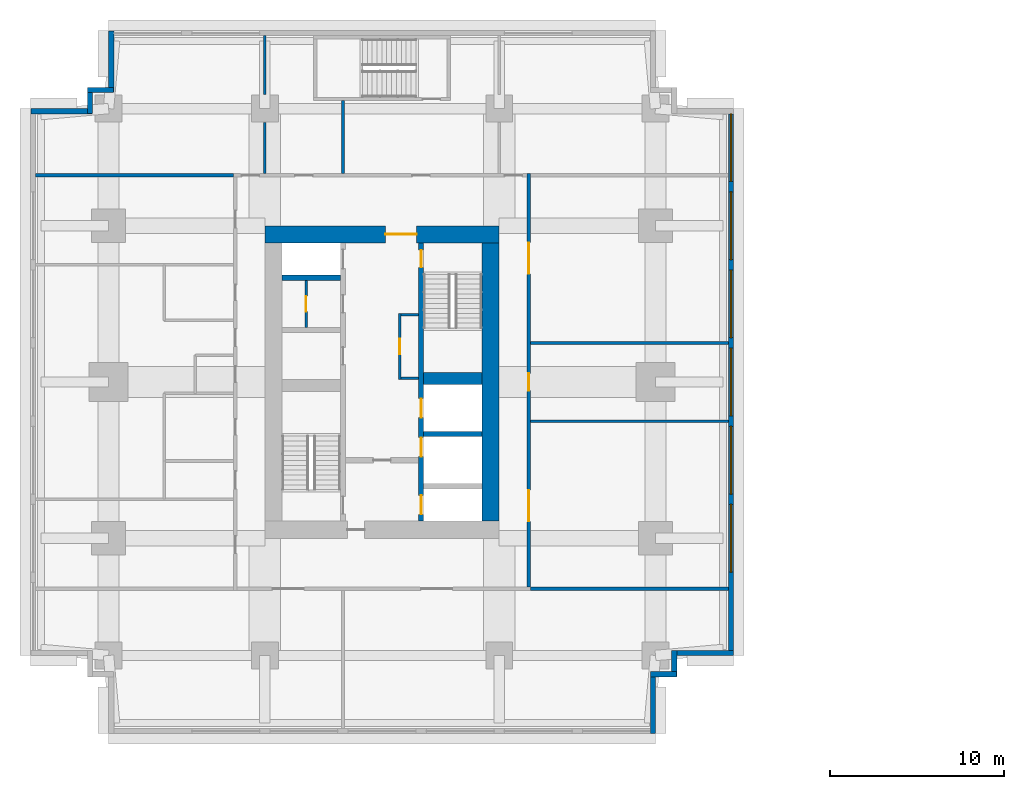
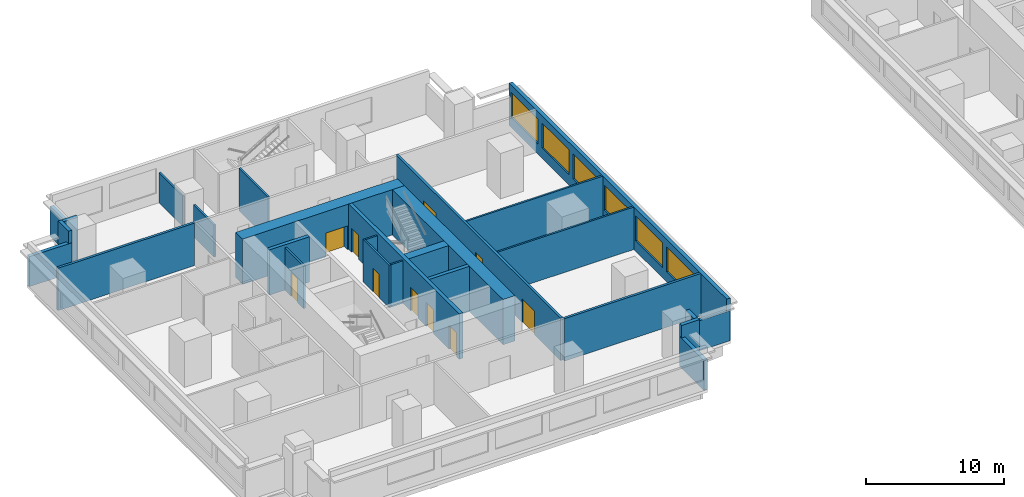
# One storey, part 4 of 11: 27 walls, 10 doors, 6 windows, 16 openings.
"""IFC4 building model written with IfcOpenShell, lengths in metres."""

from ifc_helpers import new_model, si_unit, direction, frame, frame_2d, origin, place, context, subcontext, project, spatial, rectangle, extrude, material, layer, layer_set, type_object, element, fill, save


model = new_model("IFC4")

# Units and contexts
model_context = context("Model", 3, precision=1e-05, world=origin(), true_north=direction((0.0, 1.0)))
body_context = subcontext(model_context, "Body", "Model", "MODEL_VIEW")
ifc_project = project(units=[si_unit("LENGTHUNIT", "METRE"), si_unit("AREAUNIT", "SQUARE_METRE"), si_unit("VOLUMEUNIT", "CUBIC_METRE"), si_unit("PLANEANGLEUNIT", "RADIAN"), si_unit("MASSUNIT", "GRAM", prefix="KILO")], contexts=[model_context])

# Site, building, storey
site_placement = place(None, origin())
site = spatial("IfcSite", under=ifc_project, at=site_placement, CompositionType="ELEMENT")
building_placement = place(site_placement, origin())
building = spatial("IfcBuilding", under=site, at=building_placement, Name="Namib Vertical Campus", CompositionType="ELEMENT")
storey_placement = place(building_placement, frame((0.0, 0.0, 225.0)))
storey = spatial("IfcBuildingStorey", under=building, at=storey_placement, Name="L53", CompositionType="ELEMENT", Elevation=225.0)

# Wall, openings, doors
ifc_material_1 = material(Name="Concrete C60/75", Category="concrete")
ifc_layer_1 = layer(ifc_material_1, 0.300048828125)
ifc_layer_set_1 = layer_set([ifc_layer_1], Name="Concrete C60/75")
wall_type_1 = type_object("IfcWallType", Name="Core inner wall 300", PredefinedType="SHEAR", material=ifc_layer_set_1)
wall_1_placement = place(storey_placement, frame((22.5, 12.25, 0.0), z_axis=(0.0, 0.0, 1.0), x_axis=(0.0, 1.0, 0.0)))
wall_1 = element("IfcWall", 1, at=wall_1_placement, inside=storey, type_object=wall_type_1, Name="Core inner wall A L53 W2", PredefinedType="SHEAR", context=body_context, shape_type="SweptSolid", body=[
    extrude(rectangle(XDim=16.0, YDim=0.300048828125, at=frame_2d((8.0, 0.0))), origin(), (0.0, 0.0, 1.0), 4.0),
])
opening_1_placement = place(wall_1_placement, frame((14.60009765625, 0.0, 0.0)))
opening_1 = element("IfcOpeningElement", 2, at=opening_1_placement, cuts=wall_1, Name="Opening FD1", PredefinedType="OPENING", context=body_context, shape_type="SweptSolid", body=[
    extrude(rectangle(XDim=1.0, YDim=2.10009765625, at=frame_2d((0.5, 1.050048828125))), frame((0.0, 0.159912109375, 0.0), z_axis=(0.0, -1.0, 0.0), x_axis=(1.0, 0.0, 0.0)), (0.0, 0.0, 1.0), 0.320068359375),
])
opening_2_placement = place(wall_1_placement, frame((0.375, 0.0, 0.0)))
opening_2 = element("IfcOpeningElement", 3, at=opening_2_placement, cuts=wall_1, Name="Opening LD1", PredefinedType="OPENING", context=body_context, shape_type="SweptSolid", body=[
    extrude(rectangle(XDim=1.10009765625, YDim=2.10009765625, at=frame_2d((0.550048828125, 1.050048828125))), frame((0.0, 0.159912109375, 0.0), z_axis=(0.0, -1.0, 0.0), x_axis=(1.0, 0.0, 0.0)), (0.0, 0.0, 1.0), 0.320068359375),
])
opening_3_placement = place(wall_1_placement, frame((3.699951171875, 0.0, 0.0)))
opening_3 = element("IfcOpeningElement", 4, at=opening_3_placement, cuts=wall_1, Name="Opening LD1", PredefinedType="OPENING", context=body_context, shape_type="SweptSolid", body=[
    extrude(rectangle(XDim=1.10009765625, YDim=2.10009765625, at=frame_2d((0.550048828125, 1.050048828125))), frame((0.0, 0.159912109375, 0.0), z_axis=(0.0, -1.0, 0.0), x_axis=(1.0, 0.0, 0.0)), (0.0, 0.0, 1.0), 0.320068359375),
])
opening_4_placement = place(wall_1_placement, frame((5.949951171875, 0.0, 0.0)))
opening_4 = element("IfcOpeningElement", 5, at=opening_4_placement, cuts=wall_1, Name="Opening LD1", PredefinedType="OPENING", context=body_context, shape_type="SweptSolid", body=[
    extrude(rectangle(XDim=1.10009765625, YDim=2.10009765625, at=frame_2d((0.550048828125, 1.050048828125))), frame((0.0, 0.159912109375, 0.0), z_axis=(0.0, -1.0, 0.0), x_axis=(1.0, 0.0, 0.0)), (0.0, 0.0, 1.0), 0.320068359375),
])
ifc_material_2 = material(Name="Steel fire door", Category="steel")
door_type_1 = type_object("IfcDoorType", Name="Fire door 1000x2100", OperationType="SINGLE_SWING_RIGHT", PredefinedType="DOOR", material=ifc_material_2)
door_1_placement = place(opening_1_placement, frame((1.0, 0.0, 0.0), z_axis=(0.0, 0.0, 1.0), x_axis=(-1.0, 0.0, 0.0)))
door_1 = element("IfcDoor", 6, at=door_1_placement, inside=storey, type_object=door_type_1, Name="Stair door FD1 A L53 S2", OperationType="SINGLE_SWING_LEFT", OverallHeight=2.10009765625, OverallWidth=1.0, PredefinedType="DOOR", context=body_context, shape_type="SweptSolid", body=[
    extrude(rectangle(XDim=1.0, YDim=2.10009765625, at=frame_2d((0.5, 1.050048828125))), frame((0.0, 0.02490234375, 0.0), z_axis=(0.0, -1.0, 0.0), x_axis=(1.0, 0.0, 0.0)), (0.0, 0.0, 1.0), 0.050048828125),
])
fill(opening_1, door_1)
ifc_material_3 = material(Name="Stainless steel lift door", Category="steel")
door_type_2 = type_object("IfcDoorType", Name="Lift landing door 1100x2100", OperationType="DOUBLE_DOOR_SLIDING", PredefinedType="DOOR", material=ifc_material_3)
door_2_placement = place(opening_2_placement, origin())
door_2 = element("IfcDoor", 7, at=door_2_placement, inside=storey, type_object=door_type_2, Name="Lift landing door LD1 A-FL1 L53", OperationType="DOUBLE_DOOR_SLIDING", OverallHeight=2.10009765625, OverallWidth=1.10009765625, PredefinedType="DOOR", context=body_context, shape_type="SweptSolid", body=[
    extrude(rectangle(XDim=1.10009765625, YDim=2.10009765625, at=frame_2d((0.550048828125, 1.050048828125))), frame((0.0, 0.02490234375, 0.0), z_axis=(0.0, -1.0, 0.0), x_axis=(1.0, 0.0, 0.0)), (0.0, 0.0, 1.0), 0.050048828125),
])
fill(opening_2, door_2)
door_3_placement = place(opening_3_placement, origin())
door_3 = element("IfcDoor", 8, at=door_3_placement, inside=storey, type_object=door_type_2, Name="Lift landing door LD1 A-P4 L53", OperationType="DOUBLE_DOOR_SLIDING", OverallHeight=2.10009765625, OverallWidth=1.10009765625, PredefinedType="DOOR", context=body_context, shape_type="SweptSolid", body=[
    extrude(rectangle(XDim=1.10009765625, YDim=2.10009765625, at=frame_2d((0.550048828125, 1.050048828125))), frame((0.0, 0.02490234375, 0.0), z_axis=(0.0, -1.0, 0.0), x_axis=(1.0, 0.0, 0.0)), (0.0, 0.0, 1.0), 0.050048828125),
])
fill(opening_3, door_3)
door_4_placement = place(opening_4_placement, origin())
door_4 = element("IfcDoor", 9, at=door_4_placement, inside=storey, type_object=door_type_2, Name="Lift landing door LD1 A-P5 L53", OperationType="DOUBLE_DOOR_SLIDING", OverallHeight=2.10009765625, OverallWidth=1.10009765625, PredefinedType="DOOR", context=body_context, shape_type="SweptSolid", body=[
    extrude(rectangle(XDim=1.10009765625, YDim=2.10009765625, at=frame_2d((0.550048828125, 1.050048828125))), frame((0.0, 0.02490234375, 0.0), z_axis=(0.0, -1.0, 0.0), x_axis=(1.0, 0.0, 0.0)), (0.0, 0.0, 1.0), 0.050048828125),
])
fill(opening_4, door_4)

# Walls
for number, where, z_axis, x_axis, name in (
    (10, (22.64990234375, 17.25, 0.0), (0.0, 0.0, 1.0), (1.0, 0.0, 0.0), "Core inner wall A L53 W6"),
    (11, (14.5, 26.25, 0.0), (0.0, 0.0, 1.0), (1.0, 0.0, 0.0), "Core inner wall A L53 W9"),
):
    element("IfcWall", number, at=place(storey_placement, frame(where, z_axis=z_axis, x_axis=x_axis)), inside=storey, type_object=wall_type_1, Name=name, PredefinedType="SHEAR", context=body_context, shape_type="SweptSolid", body=[
        extrude(rectangle(XDim=3.35009765625, YDim=0.300048828125, at=frame_2d((1.675048828125, 0.0))), origin(), (0.0, 0.0, 1.0), 4.0),
    ])
ifc_material_4 = material(Name="Concrete C60/75", Category="concrete")
ifc_layer_2 = layer(ifc_material_4, 0.699951171875)
ifc_layer_set_2 = layer_set([ifc_layer_2], Name="Concrete C60/75")
wall_type_2 = type_object("IfcWallType", Name="Core shear wall 700", PredefinedType="SHEAR", material=ifc_layer_set_2)
wall_2_placement = place(storey_placement, frame((22.64990234375, 20.449951171875, 0.0), z_axis=(0.0, 0.0, 1.0), x_axis=(1.0, 0.0, 0.0)))
element("IfcWall", 12, at=wall_2_placement, inside=storey, type_object=wall_type_2, Name="Core shear wall A L53 W7", PredefinedType="SHEAR", context=body_context, shape_type="SweptSolid", body=[
    extrude(rectangle(XDim=3.35009765625, YDim=0.699951171875, at=frame_2d((1.675048828125, 0.0))), origin(), (0.0, 0.0, 1.0), 4.0),
])
ifc_material_5 = material(Name="Concrete C60/75", Category="concrete")
ifc_layer_3 = layer(ifc_material_5, 1.0)
ifc_layer_set_3 = layer_set([ifc_layer_3], Name="Concrete C60/75")
wall_type_3 = type_object("IfcWallType", Name="Core wall 1000", PredefinedType="SHEAR", material=ifc_layer_set_3)
wall_3_placement = place(storey_placement, frame((26.5, 12.25, 0.0), z_axis=(0.0, 0.0, 1.0), x_axis=(0.0, 1.0, 0.0)))
element("IfcWall", 13, at=wall_3_placement, inside=storey, type_object=wall_type_3, Name="Core wall A L53 2", PredefinedType="SHEAR", context=body_context, shape_type="SweptSolid", body=[
    extrude(rectangle(XDim=16.0, YDim=1.0, at=frame_2d((8.0, 0.0))), origin(), (0.0, 0.0, 1.0), 4.0),
])

# Wall, opening, door
wall_4_placement = place(storey_placement, frame((27.0, 28.75, 0.0), z_axis=(0.0, 0.0, 1.0), x_axis=(-1.0, 0.0, 0.0)))
wall_4 = element("IfcWall", 14, at=wall_4_placement, inside=storey, type_object=wall_type_3, Name="Core wall A L53 3", PredefinedType="SHEAR", context=body_context, shape_type="SweptSolid", body=[
    extrude(rectangle(XDim=13.5, YDim=1.0, at=frame_2d((6.75, 0.0))), origin(), (0.0, 0.0, 1.0), 4.0),
])
opening_5_placement = place(wall_4_placement, frame((4.75, 0.0, 0.0)))
opening_5 = element("IfcOpeningElement", 15, at=opening_5_placement, cuts=wall_4, Name="Opening FD2", PredefinedType="OPENING", context=body_context, shape_type="SweptSolid", body=[
    extrude(rectangle(XDim=1.800048828125, YDim=2.10009765625, at=frame_2d((0.89990234375, 1.050048828125))), frame((0.0, 0.510009765625, 0.0), z_axis=(0.0, -1.0, 0.0), x_axis=(1.0, 0.0, 0.0)), (0.0, 0.0, 1.0), 1.02001953125),
])
ifc_material_6 = material(Name="Steel fire door", Category="steel")
door_type_3 = type_object("IfcDoorType", Name="Fire door double 1800x2100", OperationType="DOUBLE_DOOR_SINGLE_SWING", PredefinedType="DOOR", material=ifc_material_6)
door_5_placement = place(opening_5_placement, origin())
door_5 = element("IfcDoor", 16, at=door_5_placement, inside=storey, type_object=door_type_3, Name="Lift lobby door FD2 A L53", OperationType="DOUBLE_DOOR_SINGLE_SWING", OverallHeight=2.10009765625, OverallWidth=1.800048828125, PredefinedType="DOOR", context=body_context, shape_type="SweptSolid", body=[
    extrude(rectangle(XDim=1.800048828125, YDim=2.10009765625, at=frame_2d((0.89990234375, 1.050048828125))), frame((0.0, 0.02490234375, 0.0), z_axis=(0.0, -1.0, 0.0), x_axis=(1.0, 0.0, 0.0)), (0.0, 0.0, 1.0), 0.050048828125),
])
fill(opening_5, door_5)

# Wall, openings, doors
ifc_material_7 = material(Name="Concrete masonry", Category="masonry")
ifc_layer_4 = layer(ifc_material_7, 0.199951171875)
ifc_layer_set_4 = layer_set([ifc_layer_4], Name="Corridor wall 200")
wall_type_4 = type_object("IfcWallType", Name="Corridor wall 200", PredefinedType="SOLIDWALL", material=ifc_layer_set_4)
wall_5_placement = place(storey_placement, frame((28.699951171875, 8.449951171875, 0.0), z_axis=(0.0, 0.0, 1.0), x_axis=(0.0, 1.0, 0.0)))
wall_5 = element("IfcWall", 17, at=wall_5_placement, inside=storey, type_object=wall_type_4, Name="Corridor wall A L53 CE", PredefinedType="SOLIDWALL", context=body_context, shape_type="SweptSolid", body=[
    extrude(rectangle(XDim=23.800048828125, YDim=0.199951171875, at=frame_2d((11.89990234375, 0.0))), origin(), (0.0, 0.0, 1.0), 3.75),
])
opening_6_placement = place(wall_5_placement, frame((3.77490234375, 0.0, 0.0)))
opening_6 = element("IfcOpeningElement", 18, at=opening_6_placement, cuts=wall_5, Name="Opening CD2", PredefinedType="OPENING", context=body_context, shape_type="SweptSolid", body=[
    extrude(rectangle(XDim=1.800048828125, YDim=2.10009765625, at=frame_2d((0.89990234375, 1.050048828125))), frame((0.0, 0.10986328125, 0.0), z_axis=(0.0, -1.0, 0.0), x_axis=(1.0, 0.0, 0.0)), (0.0, 0.0, 1.0), 0.219970703125),
])
opening_7_placement = place(wall_5_placement, frame((11.300048828125, 0.0, 0.0)))
opening_7 = element("IfcOpeningElement", 19, at=opening_7_placement, cuts=wall_5, Name="Opening CD1", PredefinedType="OPENING", context=body_context, shape_type="SweptSolid", body=[
    extrude(rectangle(XDim=1.0, YDim=2.10009765625, at=frame_2d((0.5, 1.050048828125))), frame((0.0, 0.10986328125, 0.0), z_axis=(0.0, -1.0, 0.0), x_axis=(1.0, 0.0, 0.0)), (0.0, 0.0, 1.0), 0.219970703125),
])
opening_8_placement = place(wall_5_placement, frame((18.02490234375, 0.0, 0.0)))
opening_8 = element("IfcOpeningElement", 20, at=opening_8_placement, cuts=wall_5, Name="Opening CD2", PredefinedType="OPENING", context=body_context, shape_type="SweptSolid", body=[
    extrude(rectangle(XDim=1.800048828125, YDim=2.10009765625, at=frame_2d((0.89990234375, 1.050048828125))), frame((0.0, 0.10986328125, 0.0), z_axis=(0.0, -1.0, 0.0), x_axis=(1.0, 0.0, 0.0)), (0.0, 0.0, 1.0), 0.219970703125),
])
ifc_material_8 = material(Name="Timber fire door leaf", Category="wood")
door_type_4 = type_object("IfcDoorType", Name="Corridor door 1000x2100 20 min", OperationType="SINGLE_SWING_LEFT", PredefinedType="DOOR", material=ifc_material_8)
door_6_placement = place(opening_7_placement, frame((1.0, 0.0, 0.0), z_axis=(0.0, 0.0, 1.0), x_axis=(-1.0, 0.0, 0.0)))
door_6 = element("IfcDoor", 21, at=door_6_placement, inside=storey, type_object=door_type_4, Name="Door CD1 A53-04", OperationType="SINGLE_SWING_RIGHT", OverallHeight=2.10009765625, OverallWidth=1.0, PredefinedType="DOOR", context=body_context, shape_type="SweptSolid", body=[
    extrude(rectangle(XDim=1.0, YDim=2.10009765625, at=frame_2d((0.5, 1.050048828125))), frame((0.0, 0.02490234375, 0.0), z_axis=(0.0, -1.0, 0.0), x_axis=(1.0, 0.0, 0.0)), (0.0, 0.0, 1.0), 0.050048828125),
])
fill(opening_7, door_6)
ifc_material_9 = material(Name="Timber fire door leaf", Category="wood")
door_type_5 = type_object("IfcDoorType", Name="Corridor door double 1800x2100 20 min", OperationType="DOUBLE_DOOR_SINGLE_SWING", PredefinedType="DOOR", material=ifc_material_9)
door_7_placement = place(opening_6_placement, frame((1.800048828125, 0.0, 0.0), z_axis=(0.0, 0.0, 1.0), x_axis=(-1.0, 0.0, 0.0)))
door_7 = element("IfcDoor", 22, at=door_7_placement, inside=storey, type_object=door_type_5, Name="Door CD2 A53-03", OperationType="DOUBLE_DOOR_SINGLE_SWING", OverallHeight=2.10009765625, OverallWidth=1.800048828125, PredefinedType="DOOR", context=body_context, shape_type="SweptSolid", body=[
    extrude(rectangle(XDim=1.800048828125, YDim=2.10009765625, at=frame_2d((0.89990234375, 1.050048828125))), frame((0.0, 0.02490234375, 0.0), z_axis=(0.0, -1.0, 0.0), x_axis=(1.0, 0.0, 0.0)), (0.0, 0.0, 1.0), 0.050048828125),
])
fill(opening_6, door_7)
door_8_placement = place(opening_8_placement, frame((1.800048828125, 0.0, 0.0), z_axis=(0.0, 0.0, 1.0), x_axis=(-1.0, 0.0, 0.0)))
door_8 = element("IfcDoor", 23, at=door_8_placement, inside=storey, type_object=door_type_5, Name="Door CD2 A53-05", OperationType="DOUBLE_DOOR_SINGLE_SWING", OverallHeight=2.10009765625, OverallWidth=1.800048828125, PredefinedType="DOOR", context=body_context, shape_type="SweptSolid", body=[
    extrude(rectangle(XDim=1.800048828125, YDim=2.10009765625, at=frame_2d((0.89990234375, 1.050048828125))), frame((0.0, 0.02490234375, 0.0), z_axis=(0.0, -1.0, 0.0), x_axis=(1.0, 0.0, 0.0)), (0.0, 0.0, 1.0), 0.050048828125),
])
fill(opening_8, door_8)

# Walls
for number, where, z_axis, x_axis, name in (
    (24, (28.800048828125, 8.35009765625, 0.0), (0.0, 0.0, 1.0), (1.0, 0.0, 0.0), "Partition A L53 BSE"),
    (25, (0.300048828125, 32.14990234375, 0.0), (0.0, 0.0, 1.0), (1.0, 0.0, 0.0), "Partition A L53 BNW"),
):
    element("IfcWall", number, at=place(storey_placement, frame(where, z_axis=z_axis, x_axis=x_axis)), inside=storey, type_object=wall_type_4, Name=name, PredefinedType="SOLIDWALL", context=body_context, shape_type="SweptSolid", body=[
        extrude(rectangle(XDim=11.39990234375, YDim=0.199951171875, at=frame_2d((5.699951171875, 0.0))), origin(), (0.0, 0.0, 1.0), 3.75),
    ])
ifc_material_10 = material(Name="Concrete C40/50", Category="concrete")
ifc_layer_5 = layer(ifc_material_10, 0.300048828125)
ifc_layer_set_5 = layer_set([ifc_layer_5], Name="Concrete C40/50")
wall_type_5 = type_object("IfcWallType", Name="External wall 300 board-marked concrete", PredefinedType="STANDARD", material=ifc_layer_set_5)
wall_6_placement = place(storey_placement, frame((35.85009765625, 0.02001953125, 0.0), z_axis=(0.0, 0.0, 1.0), x_axis=(0.0, 1.0, 0.0)))
element("IfcWall", 26, at=wall_6_placement, inside=storey, type_object=wall_type_5, Name="External wall L53 F02", PredefinedType="STANDARD", context=body_context, shape_type="SweptSolid", body=[
    extrude(rectangle(XDim=3.534912109375, YDim=0.300048828125, at=frame_2d((1.767578125, 0.0))), origin(), (0.0, 0.0, 1.0), 2.64990234375),
])
for number, where, z_axis, x_axis, name in (
    (27, (35.719970703125, 3.425048828125, 0.0), (0.0, 0.0, 1.0), (1.0, 0.0, 0.0), "External wall L53 F03"),
    (28, (37.074951171875, 3.294921875, 0.0), (0.0, 0.0, 1.0), (0.0, 1.0, 0.0), "External wall L53 F04"),
):
    element("IfcWall", number, at=place(storey_placement, frame(where, z_axis=z_axis, x_axis=x_axis)), inside=storey, type_object=wall_type_5, Name=name, PredefinedType="STANDARD", context=body_context, shape_type="SweptSolid", body=[
        extrude(rectangle(XDim=1.485107421875, YDim=0.300048828125, at=frame_2d((0.74267578125, 0.0))), origin(), (0.0, 0.0, 1.0), 3.75),
    ])
wall_7_placement = place(storey_placement, frame((36.945068359375, 4.64990234375, 0.0), z_axis=(0.0, 0.0, 1.0), x_axis=(1.0, 0.0, 0.0)))
element("IfcWall", 29, at=wall_7_placement, inside=storey, type_object=wall_type_5, Name="External wall L53 F05", PredefinedType="STANDARD", context=body_context, shape_type="SweptSolid", body=[
    extrude(rectangle(XDim=3.534912109375, YDim=0.300048828125, at=frame_2d((1.767578125, 0.0))), origin(), (0.0, 0.0, 1.0), 2.64990234375),
])

# Wall, openings, windows
wall_8_placement = place(storey_placement, frame((40.35009765625, 4.52001953125, 0.0), z_axis=(0.0, 0.0, 1.0), x_axis=(0.0, 1.0, 0.0)))
wall_8 = element("IfcWall", 30, at=wall_8_placement, inside=storey, type_object=wall_type_5, Name="External wall L53 F06", PredefinedType="STANDARD", context=body_context, shape_type="SweptSolid", body=[
    extrude(rectangle(XDim=31.4599609375, YDim=0.300048828125, at=frame_2d((15.72998046875, 0.0))), origin(), (0.0, 0.0, 1.0), 3.75),
])
opening_9_placement = place(wall_8_placement, frame((4.780029296875, 0.0, 0.89990234375)))
opening_9 = element("IfcOpeningElement", 31, at=opening_9_placement, cuts=wall_8, Name="Opening W1", PredefinedType="OPENING", context=body_context, shape_type="SweptSolid", body=[
    extrude(rectangle(XDim=3.89990234375, YDim=2.199951171875, at=frame_2d((1.949951171875, 1.10009765625))), frame((0.0, 0.159912109375, 0.0), z_axis=(0.0, -1.0, 0.0), x_axis=(1.0, 0.0, 0.0)), (0.0, 0.0, 1.0), 0.320068359375),
])
opening_10_placement = place(wall_8_placement, frame((9.280029296875, 0.0, 0.89990234375)))
opening_10 = element("IfcOpeningElement", 32, at=opening_10_placement, cuts=wall_8, Name="Opening W1", PredefinedType="OPENING", context=body_context, shape_type="SweptSolid", body=[
    extrude(rectangle(XDim=3.89990234375, YDim=2.199951171875, at=frame_2d((1.949951171875, 1.10009765625))), frame((0.0, 0.159912109375, 0.0), z_axis=(0.0, -1.0, 0.0), x_axis=(1.0, 0.0, 0.0)), (0.0, 0.0, 1.0), 0.320068359375),
])
opening_11_placement = place(wall_8_placement, frame((13.780029296875, 0.0, 0.89990234375)))
opening_11 = element("IfcOpeningElement", 33, at=opening_11_placement, cuts=wall_8, Name="Opening W1", PredefinedType="OPENING", context=body_context, shape_type="SweptSolid", body=[
    extrude(rectangle(XDim=3.89990234375, YDim=2.199951171875, at=frame_2d((1.949951171875, 1.10009765625))), frame((0.0, 0.159912109375, 0.0), z_axis=(0.0, -1.0, 0.0), x_axis=(1.0, 0.0, 0.0)), (0.0, 0.0, 1.0), 0.320068359375),
])
opening_12_placement = place(wall_8_placement, frame((18.280029296875, 0.0, 0.89990234375)))
opening_12 = element("IfcOpeningElement", 34, at=opening_12_placement, cuts=wall_8, Name="Opening W1", PredefinedType="OPENING", context=body_context, shape_type="SweptSolid", body=[
    extrude(rectangle(XDim=3.89990234375, YDim=2.199951171875, at=frame_2d((1.949951171875, 1.10009765625))), frame((0.0, 0.159912109375, 0.0), z_axis=(0.0, -1.0, 0.0), x_axis=(1.0, 0.0, 0.0)), (0.0, 0.0, 1.0), 0.320068359375),
])
opening_13_placement = place(wall_8_placement, frame((22.780029296875, 0.0, 0.89990234375)))
opening_13 = element("IfcOpeningElement", 35, at=opening_13_placement, cuts=wall_8, Name="Opening W1", PredefinedType="OPENING", context=body_context, shape_type="SweptSolid", body=[
    extrude(rectangle(XDim=3.89990234375, YDim=2.199951171875, at=frame_2d((1.949951171875, 1.10009765625))), frame((0.0, 0.159912109375, 0.0), z_axis=(0.0, -1.0, 0.0), x_axis=(1.0, 0.0, 0.0)), (0.0, 0.0, 1.0), 0.320068359375),
])
opening_14_placement = place(wall_8_placement, frame((27.280029296875, 0.0, 0.89990234375)))
opening_14 = element("IfcOpeningElement", 36, at=opening_14_placement, cuts=wall_8, Name="Opening W1", PredefinedType="OPENING", context=body_context, shape_type="SweptSolid", body=[
    extrude(rectangle(XDim=3.89990234375, YDim=2.199951171875, at=frame_2d((1.949951171875, 1.10009765625))), frame((0.0, 0.159912109375, 0.0), z_axis=(0.0, -1.0, 0.0), x_axis=(1.0, 0.0, 0.0)), (0.0, 0.0, 1.0), 0.320068359375),
])
ifc_material_11 = material(Name="Dark tinted glass in black aluminium frame", Category="aluminium")
window_type = type_object("IfcWindowType", Name="Ribbon window 3900x2200", PartitioningType="SINGLE_PANEL", PredefinedType="WINDOW", material=ifc_material_11)
window_1_placement = place(opening_9_placement, origin())
window_1 = element("IfcWindow", 37, at=window_1_placement, inside=storey, type_object=window_type, Name="Window W1 L53 F06-2", OverallHeight=2.199951171875, OverallWidth=3.89990234375, PartitioningType="SINGLE_PANEL", PredefinedType="WINDOW", context=body_context, shape_type="SweptSolid", body=[
    extrude(rectangle(XDim=3.89990234375, YDim=2.199951171875, at=frame_2d((1.949951171875, 1.10009765625))), frame((0.0, 0.030029296875, 0.0), z_axis=(0.0, -1.0, 0.0), x_axis=(1.0, 0.0, 0.0)), (0.0, 0.0, 1.0), 0.06005859375),
])
fill(opening_9, window_1)
window_2_placement = place(opening_10_placement, origin())
window_2 = element("IfcWindow", 38, at=window_2_placement, inside=storey, type_object=window_type, Name="Window W1 L53 F06-3", OverallHeight=2.199951171875, OverallWidth=3.89990234375, PartitioningType="SINGLE_PANEL", PredefinedType="WINDOW", context=body_context, shape_type="SweptSolid", body=[
    extrude(rectangle(XDim=3.89990234375, YDim=2.199951171875, at=frame_2d((1.949951171875, 1.10009765625))), frame((0.0, 0.030029296875, 0.0), z_axis=(0.0, -1.0, 0.0), x_axis=(1.0, 0.0, 0.0)), (0.0, 0.0, 1.0), 0.06005859375),
])
fill(opening_10, window_2)
window_3_placement = place(opening_11_placement, origin())
window_3 = element("IfcWindow", 39, at=window_3_placement, inside=storey, type_object=window_type, Name="Window W1 L53 F06-4", OverallHeight=2.199951171875, OverallWidth=3.89990234375, PartitioningType="SINGLE_PANEL", PredefinedType="WINDOW", context=body_context, shape_type="SweptSolid", body=[
    extrude(rectangle(XDim=3.89990234375, YDim=2.199951171875, at=frame_2d((1.949951171875, 1.10009765625))), frame((0.0, 0.030029296875, 0.0), z_axis=(0.0, -1.0, 0.0), x_axis=(1.0, 0.0, 0.0)), (0.0, 0.0, 1.0), 0.06005859375),
])
fill(opening_11, window_3)
window_4_placement = place(opening_12_placement, origin())
window_4 = element("IfcWindow", 40, at=window_4_placement, inside=storey, type_object=window_type, Name="Window W1 L53 F06-5", OverallHeight=2.199951171875, OverallWidth=3.89990234375, PartitioningType="SINGLE_PANEL", PredefinedType="WINDOW", context=body_context, shape_type="SweptSolid", body=[
    extrude(rectangle(XDim=3.89990234375, YDim=2.199951171875, at=frame_2d((1.949951171875, 1.10009765625))), frame((0.0, 0.030029296875, 0.0), z_axis=(0.0, -1.0, 0.0), x_axis=(1.0, 0.0, 0.0)), (0.0, 0.0, 1.0), 0.06005859375),
])
fill(opening_12, window_4)
window_5_placement = place(opening_13_placement, origin())
window_5 = element("IfcWindow", 41, at=window_5_placement, inside=storey, type_object=window_type, Name="Window W1 L53 F06-6", OverallHeight=2.199951171875, OverallWidth=3.89990234375, PartitioningType="SINGLE_PANEL", PredefinedType="WINDOW", context=body_context, shape_type="SweptSolid", body=[
    extrude(rectangle(XDim=3.89990234375, YDim=2.199951171875, at=frame_2d((1.949951171875, 1.10009765625))), frame((0.0, 0.030029296875, 0.0), z_axis=(0.0, -1.0, 0.0), x_axis=(1.0, 0.0, 0.0)), (0.0, 0.0, 1.0), 0.06005859375),
])
fill(opening_13, window_5)
window_6_placement = place(opening_14_placement, origin())
window_6 = element("IfcWindow", 42, at=window_6_placement, inside=storey, type_object=window_type, Name="Window W1 L53 F06-7", OverallHeight=2.199951171875, OverallWidth=3.89990234375, PartitioningType="SINGLE_PANEL", PredefinedType="WINDOW", context=body_context, shape_type="SweptSolid", body=[
    extrude(rectangle(XDim=3.89990234375, YDim=2.199951171875, at=frame_2d((1.949951171875, 1.10009765625))), frame((0.0, 0.030029296875, 0.0), z_axis=(0.0, -1.0, 0.0), x_axis=(1.0, 0.0, 0.0)), (0.0, 0.0, 1.0), 0.06005859375),
])
fill(opening_14, window_6)

# Walls
wall_9_placement = place(storey_placement, frame((4.64990234375, 40.47998046875, 0.0), z_axis=(0.0, 0.0, 1.0), x_axis=(0.0, -1.0, 0.0)))
element("IfcWall", 43, at=wall_9_placement, inside=storey, type_object=wall_type_5, Name="External wall L53 F12", PredefinedType="STANDARD", context=body_context, shape_type="SweptSolid", body=[
    extrude(rectangle(XDim=3.534912109375, YDim=0.300048828125, at=frame_2d((1.767578125, 0.0))), origin(), (0.0, 0.0, 1.0), 2.64990234375),
])
for number, where, z_axis, x_axis, name in (
    (44, (4.780029296875, 37.074951171875, 0.0), (0.0, 0.0, 1.0), (-1.0, 0.0, 0.0), "External wall L53 F13"),
    (45, (3.425048828125, 37.205078125, 0.0), (0.0, 0.0, 1.0), (0.0, -1.0, 0.0), "External wall L53 F14"),
):
    element("IfcWall", number, at=place(storey_placement, frame(where, z_axis=z_axis, x_axis=x_axis)), inside=storey, type_object=wall_type_5, Name=name, PredefinedType="STANDARD", context=body_context, shape_type="SweptSolid", body=[
        extrude(rectangle(XDim=1.485107421875, YDim=0.300048828125, at=frame_2d((0.74267578125, 0.0))), origin(), (0.0, 0.0, 1.0), 3.75),
    ])
wall_10_placement = place(storey_placement, frame((3.554931640625, 35.85009765625, 0.0), z_axis=(0.0, 0.0, 1.0), x_axis=(-1.0, 0.0, 0.0)))
element("IfcWall", 46, at=wall_10_placement, inside=storey, type_object=wall_type_5, Name="External wall L53 F15", PredefinedType="STANDARD", context=body_context, shape_type="SweptSolid", body=[
    extrude(rectangle(XDim=3.534912109375, YDim=0.300048828125, at=frame_2d((1.767578125, 0.0))), origin(), (0.0, 0.0, 1.0), 2.64990234375),
])

# Wall, opening, door
ifc_material_12 = material(Name="Gypsum board on steel studs", Category="steel")
ifc_layer_6 = layer(ifc_material_12, 0.14990234375)
ifc_layer_set_6 = layer_set([ifc_layer_6], Name="Gypsum board on steel studs")
wall_type_6 = type_object("IfcWallType", Name="Partition 150", PredefinedType="PARTITIONING", material=ifc_layer_set_6)
wall_11_placement = place(storey_placement, frame((21.27490234375, 20.39990234375, 0.0), z_axis=(0.0, 0.0, 1.0), x_axis=(0.0, 1.0, 0.0)))
wall_11 = element("IfcWall", 47, at=wall_11_placement, inside=storey, type_object=wall_type_6, Name="Partition A L53 Linen store front", PredefinedType="PARTITIONING", context=body_context, shape_type="SweptSolid", body=[
    extrude(rectangle(XDim=3.800048828125, YDim=0.14990234375, at=frame_2d((1.89990234375, 0.0))), origin(), (0.0, 0.0, 1.0), 3.75),
])
opening_15_placement = place(wall_11_placement, frame((1.449951171875, 0.0, 0.0)))
opening_15 = element("IfcOpeningElement", 48, at=opening_15_placement, cuts=wall_11, Name="Opening D3", PredefinedType="OPENING", context=body_context, shape_type="SweptSolid", body=[
    extrude(rectangle(XDim=0.89990234375, YDim=2.10009765625, at=frame_2d((0.449951171875, 1.050048828125))), frame((0.0, 0.0849609375, 0.0), z_axis=(0.0, -1.0, 0.0), x_axis=(1.0, 0.0, 0.0)), (0.0, 0.0, 1.0), 0.169921875),
])
ifc_material_13 = material(Name="Timber door leaf", Category="wood")
door_type_6 = type_object("IfcDoorType", Name="Toilet door 900x2100", OperationType="SINGLE_SWING_LEFT", PredefinedType="DOOR", material=ifc_material_13)
door_9_placement = place(opening_15_placement, frame((0.89990234375, 0.0, 0.0), z_axis=(0.0, 0.0, 1.0), x_axis=(-1.0, 0.0, 0.0)))
door_9 = element("IfcDoor", 49, at=door_9_placement, inside=storey, type_object=door_type_6, Name="Door D3 Linen store A L53", OperationType="SINGLE_SWING_RIGHT", OverallHeight=2.10009765625, OverallWidth=0.89990234375, PredefinedType="DOOR", context=body_context, shape_type="SweptSolid", body=[
    extrude(rectangle(XDim=0.89990234375, YDim=2.10009765625, at=frame_2d((0.449951171875, 1.050048828125))), frame((0.0, 0.02490234375, 0.0), z_axis=(0.0, -1.0, 0.0), x_axis=(1.0, 0.0, 0.0)), (0.0, 0.0, 1.0), 0.050048828125),
])
fill(opening_15, door_9)

# Walls
for number, where, z_axis, x_axis, name in (
    (50, (21.35009765625, 20.47509765625, 0.0), (0.0, 0.0, 1.0), (1.0, 0.0, 0.0), "Partition A L53 Linen store end 1"),
    (51, (21.35009765625, 24.125, 0.0), (0.0, 0.0, 1.0), (1.0, 0.0, 0.0), "Partition A L53 Linen store end 2"),
):
    element("IfcWall", number, at=place(storey_placement, frame(where, z_axis=z_axis, x_axis=x_axis)), inside=storey, type_object=wall_type_6, Name=name, PredefinedType="PARTITIONING", context=body_context, shape_type="SweptSolid", body=[
        extrude(rectangle(XDim=1.0, YDim=0.14990234375, at=frame_2d((0.5, 0.0))), origin(), (0.0, 0.0, 1.0), 3.75),
    ])

# Wall, opening, door
wall_12_placement = place(storey_placement, frame((15.875, 23.39990234375, 0.0), z_axis=(0.0, 0.0, 1.0), x_axis=(0.0, 1.0, 0.0)))
wall_12 = element("IfcWall", 52, at=wall_12_placement, inside=storey, type_object=wall_type_6, Name="Partition A L53 Store P2 back", PredefinedType="PARTITIONING", context=body_context, shape_type="SweptSolid", body=[
    extrude(rectangle(XDim=2.7001953125, YDim=0.14990234375, at=frame_2d((1.35009765625, 0.0))), origin(), (0.0, 0.0, 1.0), 3.75),
])
opening_16_placement = place(wall_12_placement, frame((0.89990234375, 0.0, 0.0)))
opening_16 = element("IfcOpeningElement", 53, at=opening_16_placement, cuts=wall_12, Name="Opening D3", PredefinedType="OPENING", context=body_context, shape_type="SweptSolid", body=[
    extrude(rectangle(XDim=0.89990234375, YDim=2.10009765625, at=frame_2d((0.449951171875, 1.050048828125))), frame((0.0, 0.0849609375, 0.0), z_axis=(0.0, -1.0, 0.0), x_axis=(1.0, 0.0, 0.0)), (0.0, 0.0, 1.0), 0.169921875),
])
door_10_placement = place(opening_16_placement, origin())
door_10 = element("IfcDoor", 54, at=door_10_placement, inside=storey, type_object=door_type_6, Name="Door D3 Store A L53 P2", OperationType="SINGLE_SWING_LEFT", OverallHeight=2.10009765625, OverallWidth=0.89990234375, PredefinedType="DOOR", context=body_context, shape_type="SweptSolid", body=[
    extrude(rectangle(XDim=0.89990234375, YDim=2.10009765625, at=frame_2d((0.449951171875, 1.050048828125))), frame((0.0, 0.02490234375, 0.0), z_axis=(0.0, -1.0, 0.0), x_axis=(1.0, 0.0, 0.0)), (0.0, 0.0, 1.0), 0.050048828125),
])
fill(opening_16, door_10)

# Walls
wall_13_placement = place(storey_placement, frame((13.5, 32.25, 0.0), z_axis=(0.0, 0.0, 1.0), x_axis=(0.0, 1.0, 0.0)))
element("IfcWall", 55, at=wall_13_placement, inside=storey, type_object=wall_type_6, Name="Partition A L53 PN1", PredefinedType="PARTITIONING", context=body_context, shape_type="SweptSolid", body=[
    extrude(rectangle(XDim=2.955078125, YDim=0.14990234375, at=frame_2d((1.4775390625, 0.0))), origin(), (0.0, 0.0, 1.0), 2.85009765625),
])
wall_14_placement = place(storey_placement, frame((13.5, 36.794921875, 0.0), z_axis=(0.0, 0.0, 1.0), x_axis=(0.0, 1.0, 0.0)))
element("IfcWall", 56, at=wall_14_placement, inside=storey, type_object=wall_type_6, Name="Partition A L53 PN1", PredefinedType="PARTITIONING", context=body_context, shape_type="SweptSolid", body=[
    extrude(rectangle(XDim=3.405029296875, YDim=0.14990234375, at=frame_2d((1.70263671875, 0.0))), origin(), (0.0, 0.0, 1.0), 2.64990234375),
])
wall_15_placement = place(storey_placement, frame((18.0, 32.25, 0.0), z_axis=(0.0, 0.0, 1.0), x_axis=(0.0, 1.0, 0.0)))
element("IfcWall", 57, at=wall_15_placement, inside=storey, type_object=wall_type_6, Name="Partition A L53 PN2", PredefinedType="PARTITIONING", context=body_context, shape_type="SweptSolid", body=[
    extrude(rectangle(XDim=4.199951171875, YDim=0.14990234375, at=frame_2d((2.10009765625, 0.0))), origin(), (0.0, 0.0, 1.0), 3.75),
])
for number, where, z_axis, x_axis, name in (
    (58, (28.800048828125, 18.0, 0.0), (0.0, 0.0, 1.0), (1.0, 0.0, 0.0), "Partition A L53 PE1"),
    (59, (28.800048828125, 22.5, 0.0), (0.0, 0.0, 1.0), (1.0, 0.0, 0.0), "Partition A L53 PE2"),
):
    element("IfcWall", number, at=place(storey_placement, frame(where, z_axis=z_axis, x_axis=x_axis)), inside=storey, type_object=wall_type_6, Name=name, PredefinedType="PARTITIONING", context=body_context, shape_type="SweptSolid", body=[
        extrude(rectangle(XDim=11.39990234375, YDim=0.14990234375, at=frame_2d((5.699951171875, 0.0))), origin(), (0.0, 0.0, 1.0), 3.75),
    ])

save(model, "model.ifc")
